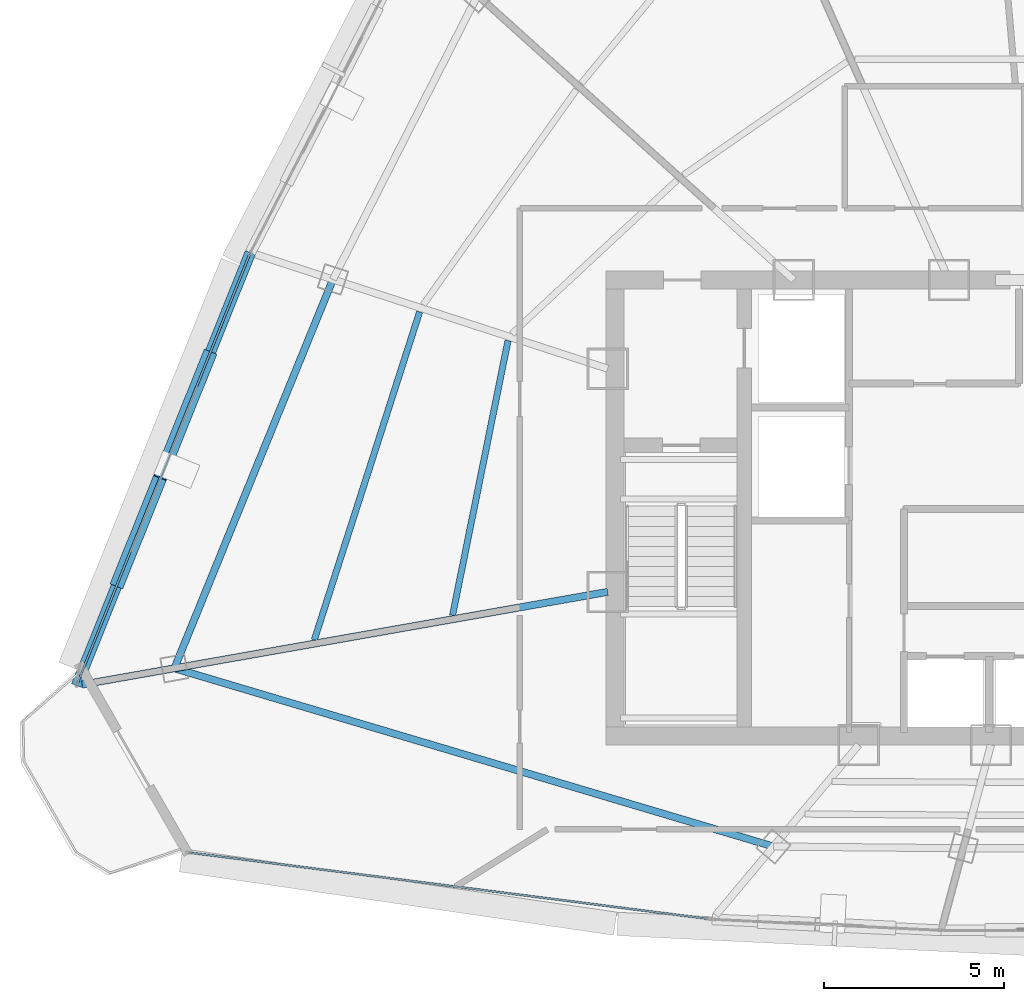
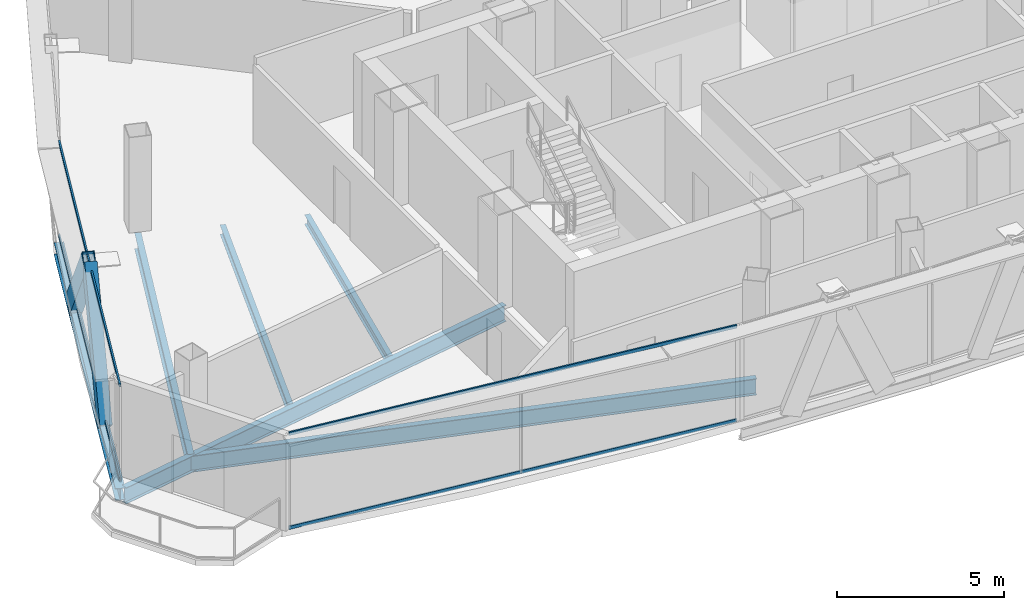
# One storey, part 3 of 30: 6 beams, 6 members, 2 elements without a shape of their own.
"""IFC4 building model written with IfcOpenShell, lengths in metres."""

from ifc_helpers import new_model, si_unit, direction, frame, origin, origin_2d, place, context, subcontext, project, spatial, hollow_rectangle, i_section, extrude, source, transform, mapped, material, layer, layer_set, material_profile, profile_set, type_object, element, aggregate, save


model = new_model("IFC4")

# Units and contexts
model_context = context("Model", 3, precision=1e-05, world=origin(), true_north=direction((0.0, 1.0)))
body_context = subcontext(model_context, "Body", "Model", "MODEL_VIEW")
ifc_project = project(units=[si_unit("LENGTHUNIT", "METRE"), si_unit("AREAUNIT", "SQUARE_METRE"), si_unit("VOLUMEUNIT", "CUBIC_METRE"), si_unit("PLANEANGLEUNIT", "RADIAN"), si_unit("MASSUNIT", "GRAM", prefix="KILO"), si_unit("THERMODYNAMICTEMPERATUREUNIT", "KELVIN"), si_unit("POWERUNIT", "WATT")], contexts=[model_context])

# Site, building, storey
site_placement = place(None, origin())
site = spatial("IfcSite", under=ifc_project, at=site_placement, CompositionType="ELEMENT")
building_placement = place(site_placement, origin())
building = spatial("IfcBuilding", under=site, at=building_placement, Name="Yunzhuo Pagoda Commons", CompositionType="ELEMENT")
storey_placement = place(building_placement, frame((0.0, 0.0, 355.510009765625)))
storey = spatial("IfcBuildingStorey", under=building, at=storey_placement, Name="L89", CompositionType="ELEMENT", Elevation=355.510009765625)

# Beams
ifc_material_1 = material(Name="Structural steel Q355B", Category="steel")
ifc_material_profile_1 = material_profile(ifc_material_1, i_section(OverallWidth=0.199951171875, OverallDepth=0.60009765625, WebThickness=0.010986328125, FlangeThickness=0.01708984375, at=origin_2d()), Name="Structural steel Q355B")
ifc_profile_set_1 = profile_set([ifc_material_profile_1], Name="Structural steel Q355B")
beam_type_1 = type_object("IfcBeamType", Name="B-RG3 Beam HN 600x200x11x17", PredefinedType="BEAM", material=ifc_profile_set_1)
shared_shape_1 = source(origin(), body_context, "Body", "SweptSolid", [
    extrude(i_section(OverallWidth=0.199951171875, OverallDepth=0.60009765625, WebThickness=0.010986328125, FlangeThickness=0.01708984375, at=origin_2d()), origin(), (0.0, 0.0, 1.0), 17.407470703125),
])
beam_1_placement = place(storey_placement, frame((23.52978515625, 29.38525390625, -0.56005859375), z_axis=(0.958484984609, -0.285143006717, 0.0), x_axis=(0.285143006717, 0.958484984609, 0.0)))
element("IfcBeam", 1, at=beam_1_placement, inside=storey, type_object=beam_type_1, Name="L89 column-ring beam 12", PredefinedType="BEAM", context=body_context, shape_type="MappedRepresentation", body=[
    mapped(shared_shape_1, transform((0.0, 0.0, 0.0), scale=1.0)),
])
shared_shape_2 = source(origin(), body_context, "Body", "SweptSolid", [
    extrude(i_section(OverallWidth=0.199951171875, OverallDepth=0.60009765625, WebThickness=0.010986328125, FlangeThickness=0.01708984375, at=origin_2d()), origin(), (0.0, 0.0, 1.0), 11.696533203125),
])
beam_2_placement = place(storey_placement, frame((27.946533203125, 40.2158203125, -0.56005859375), z_axis=(-0.377611800863, -0.925963999219, 0.0), x_axis=(0.925963999219, -0.377611800863, 0.0)))
element("IfcBeam", 2, at=beam_2_placement, inside=storey, type_object=beam_type_1, Name="L89 column-ring beam 11", PredefinedType="BEAM", context=body_context, shape_type="MappedRepresentation", body=[
    mapped(shared_shape_2, transform((0.0, 0.0, 0.0), scale=1.0)),
])
ifc_material_profile_2 = material_profile(ifc_material_1, i_section(OverallWidth=0.175048828125, OverallDepth=0.35009765625, WebThickness=0.007080078125, FlangeThickness=0.010986328125, at=origin_2d()), Name="Structural steel Q355B")
ifc_profile_set_2 = profile_set([ifc_material_profile_2], Name="Structural steel Q355B")
beam_type_2 = type_object("IfcBeamType", Name="B-JS2 Joist HN 350x175x7x11", PredefinedType="JOIST", material=ifc_profile_set_2)
shared_shape_3 = source(origin(), body_context, "Body", "SweptSolid", [
    extrude(i_section(OverallWidth=0.175048828125, OverallDepth=0.35009765625, WebThickness=0.007080078125, FlangeThickness=0.010986328125, at=origin_2d()), origin(), (0.0, 0.0, 1.0), 7.8056640625),
])
beam_3_placement = place(storey_placement, frame((32.822265625, 38.511474609375, -0.43505859375), z_axis=(-0.197890187791, -0.980224195568, 0.0), x_axis=(0.980224195568, -0.197890187791, 0.0)))
element("IfcBeam", 3, at=beam_3_placement, inside=storey, type_object=beam_type_2, Name="L89 composite ring joist 1.11", PredefinedType="JOIST", context=body_context, shape_type="MappedRepresentation", body=[
    mapped(shared_shape_3, transform((0.0, 0.0, 0.0), scale=1.0)),
])
shared_shape_4 = source(origin(), body_context, "Body", "SweptSolid", [
    extrude(i_section(OverallWidth=0.175048828125, OverallDepth=0.35009765625, WebThickness=0.007080078125, FlangeThickness=0.010986328125, at=origin_2d()), origin(), (0.0, 0.0, 1.0), 9.593994140625),
])
beam_4_placement = place(storey_placement, frame((30.360595703125, 39.310546875, -0.43505859375), z_axis=(-0.305719218499, -0.952121714614, 0.0), x_axis=(0.952121714614, -0.305719218499, 0.0)))
element("IfcBeam", 4, at=beam_4_placement, inside=storey, type_object=beam_type_2, Name="L89 composite ring joist 2.11", PredefinedType="JOIST", context=body_context, shape_type="MappedRepresentation", body=[
    mapped(shared_shape_4, transform((0.0, 0.0, 0.0), scale=1.0)),
])
shared_shape_5 = source(origin(), body_context, "Body", "SweptSolid", [
    extrude(i_section(OverallWidth=0.199951171875, OverallDepth=0.60009765625, WebThickness=0.010986328125, FlangeThickness=0.01708984375, at=origin_2d()), origin(), (0.0, 0.0, 1.0), 14.866455078125),
])
beam_5_placement = place(storey_placement, frame((20.95947265625, 28.931884765625, -0.56005859375), z_axis=(0.984807686676, 0.173648553877, 0.0), x_axis=(-0.173648553877, 0.984807686676, 0.0)))
element("IfcBeam", 5, at=beam_5_placement, inside=storey, type_object=beam_type_1, Name="L89 radial floor girder F3C4", PredefinedType="BEAM", context=body_context, shape_type="MappedRepresentation", body=[
    mapped(shared_shape_5, transform((0.0, 0.0, 0.0), scale=1.0)),
])
ifc_material_profile_3 = material_profile(ifc_material_1, i_section(OverallWidth=0.300048828125, OverallDepth=0.43994140625, WebThickness=0.010986328125, FlangeThickness=0.01806640625, at=origin_2d()), Name="Structural steel Q355B")
ifc_profile_set_3 = profile_set([ifc_material_profile_3], Name="Structural steel Q355B")
beam_type_3 = type_object("IfcBeamType", Name="B-SP2 Beam HM 440x300x11x18", PredefinedType="BEAM", material=ifc_profile_set_3)
shared_shape_6 = source(origin(), body_context, "Body", "SweptSolid", [
    extrude(i_section(OverallWidth=0.300048828125, OverallDepth=0.43994140625, WebThickness=0.010986328125, FlangeThickness=0.01806640625, at=origin_2d()), origin(), (0.0, 0.0, 1.0), 12.9931640625),
])
beam_6_placement = place(storey_placement, frame((25.646240234375, 40.963134765625, -0.47998046875), z_axis=(-0.372475711611, -0.928041941002, 0.0), x_axis=(0.928041941002, -0.372475711611, 0.0)))
element("IfcBeam", 6, at=beam_6_placement, inside=storey, type_object=beam_type_3, Name="L89 facade edge spandrel beam F3.3", PredefinedType="BEAM", context=body_context, shape_type="MappedRepresentation", body=[
    mapped(shared_shape_6, transform((0.0, 0.0, 0.0), scale=1.0)),
])

# Members
ifc_material_profile_4 = material_profile(ifc_material_1, hollow_rectangle(XDim=0.3798828125, YDim=0.719970703125, WallThickness=0.02001953125, at=origin_2d()), Name="Structural steel Q355B")
ifc_profile_set_4 = profile_set([ifc_material_profile_4], Name="Structural steel Q355B")
member_type_1 = type_object("IfcMemberType", Name="M-DL3 Brace BOX 720x380x20", PredefinedType="BRACE", material=ifc_profile_set_4)
shared_shape_7 = source(origin(), body_context, "Body", "SweptSolid", [
    extrude(hollow_rectangle(XDim=0.3798828125, YDim=0.719970703125, WallThickness=0.02001953125, at=origin_2d()), origin(), (0.0, 0.0, 1.0), 4.96142578125),
])
member_1_placement = place(storey_placement, frame((24.436279296875, 37.948974609375, -0.260009765625), z_axis=(-0.243871965407, -0.607662409365, 0.755825946057), x_axis=(0.928051085882, -0.372452925875, 0.0)))
element("IfcMember", 7, at=member_1_placement, inside=storey, type_object=member_type_1, Name="L89 facade diamond brace F3.3L", PredefinedType="BRACE", context=body_context, shape_type="MappedRepresentation", body=[
    mapped(shared_shape_7, transform((0.0, 0.0, 0.0), scale=1.0)),
])
shared_shape_8 = source(origin(), body_context, "Body", "SweptSolid", [
    extrude(hollow_rectangle(XDim=0.3798828125, YDim=0.719970703125, WallThickness=0.02001953125, at=origin_2d()), origin(), (0.0, 0.0, 1.0), 4.961181640625),
])
member_2_placement = place(storey_placement, frame((22.016357421875, 31.919677734375, -0.260009765625), z_axis=(0.243886549809, 0.607600328993, 0.755871147107), x_axis=(-0.928030231192, 0.372504885866, 0.0)))
element("IfcMember", 8, at=member_2_placement, inside=storey, type_object=member_type_1, Name="L89 facade diamond brace F3.3R", PredefinedType="BRACE", context=body_context, shape_type="MappedRepresentation", body=[
    mapped(shared_shape_8, transform((0.0, 0.0, 0.0), scale=1.0)),
])

# Curtain wall, members
ifc_material_2 = material(Name="Anodized aluminium 6063-T6", Category="aluminium")
ifc_layer = layer(ifc_material_2, 0.139892578125)
ifc_layer_set = layer_set([ifc_layer], Name="Anodized aluminium 6063-T6")
curtain_wall_type = type_object("IfcCurtainWallType", Name="CW-HI High-Zone Ribbon Curtain Wall", PredefinedType="NOTDEFINED", material=ifc_layer_set)
curtain_wall_1_placement = place(storey_placement, origin())
curtain_wall_1 = element("IfcCurtainWall", 9, at=curtain_wall_1_placement, inside=storey, type_object=curtain_wall_type, Name="L89 curtain wall CW-L89-F1B1", PredefinedType="NOTDEFINED")
ifc_material_profile_5 = material_profile(ifc_material_2, hollow_rectangle(XDim=0.054931640625, YDim=0.1201171875, WallThickness=0.00341796875, at=origin_2d()), Name="Anodized aluminium 6063-T6")
ifc_profile_set_5 = profile_set([ifc_material_profile_5], Name="Anodized aluminium 6063-T6")
member_type_2 = type_object("IfcMemberType", Name="CW-HI-T Transom RHS 120x55x3.5", PredefinedType="USERDEFINED", material=ifc_profile_set_5)
shared_shape_9 = source(origin(), body_context, "Body", "SweptSolid", [
    extrude(hollow_rectangle(XDim=0.054931640625, YDim=0.1201171875, WallThickness=0.00341796875, at=origin_2d()), origin(), (0.0, 0.0, 1.0), 14.54931640625),
])
member_3_placement = place(storey_placement, frame((23.9462890625, 24.251708984375, 0.027587890625), z_axis=(0.991959463603, -0.126556005658, 0.0), x_axis=(0.126556005658, 0.991959463603, 0.0)))
member_3 = element("IfcMember", 10, at=member_3_placement, type_object=member_type_2, Name="CW transom 1.1", ObjectType="TRANSOM", PredefinedType="USERDEFINED", context=body_context, shape_type="MappedRepresentation", body=[
    mapped(shared_shape_9, transform((0.0, 0.0, 0.0), scale=1.0)),
])
member_4_placement = place(storey_placement, frame((23.9462890625, 24.251708984375, 3.46240234375), z_axis=(0.991959463603, -0.126556005658, 0.0), x_axis=(0.126556005658, 0.991959463603, 0.0)))
member_4 = element("IfcMember", 11, at=member_4_placement, type_object=member_type_2, Name="CW transom 1.2", ObjectType="TRANSOM", PredefinedType="USERDEFINED", context=body_context, shape_type="MappedRepresentation", body=[
    mapped(shared_shape_9, transform((0.0, 0.0, 0.0), scale=1.0)),
])
aggregate(curtain_wall_1, [member_3, member_4])

curtain_wall_2_placement = place(storey_placement, origin())
curtain_wall_2 = element("IfcCurtainWall", 12, at=curtain_wall_2_placement, inside=storey, type_object=curtain_wall_type, Name="L89 curtain wall CW-L89-F3B4", PredefinedType="NOTDEFINED")
shared_shape_10 = source(origin(), body_context, "Body", "SweptSolid", [
    extrude(hollow_rectangle(XDim=0.054931640625, YDim=0.1201171875, WallThickness=0.00341796875, at=origin_2d()), origin(), (0.0, 0.0, 1.0), 12.873046875),
])
member_5_placement = place(storey_placement, frame((25.623779296875, 40.907470703125, 0.027587890625), z_axis=(-0.372476015207, -0.928041819152, 0.0), x_axis=(0.928041819152, -0.372476015207, 0.0)))
member_5 = element("IfcMember", 13, at=member_5_placement, type_object=member_type_2, Name="CW transom 1.1", ObjectType="TRANSOM", PredefinedType="USERDEFINED", context=body_context, shape_type="MappedRepresentation", body=[
    mapped(shared_shape_10, transform((0.0, 0.0, 0.0), scale=1.0)),
])
member_6_placement = place(storey_placement, frame((25.623779296875, 40.907470703125, 3.46240234375), z_axis=(-0.372476015207, -0.928041819152, 0.0), x_axis=(0.928041819152, -0.372476015207, 0.0)))
member_6 = element("IfcMember", 14, at=member_6_placement, type_object=member_type_2, Name="CW transom 1.2", ObjectType="TRANSOM", PredefinedType="USERDEFINED", context=body_context, shape_type="MappedRepresentation", body=[
    mapped(shared_shape_10, transform((0.0, 0.0, 0.0), scale=1.0)),
])
aggregate(curtain_wall_2, [member_5, member_6])

save(model, "model.ifc")
